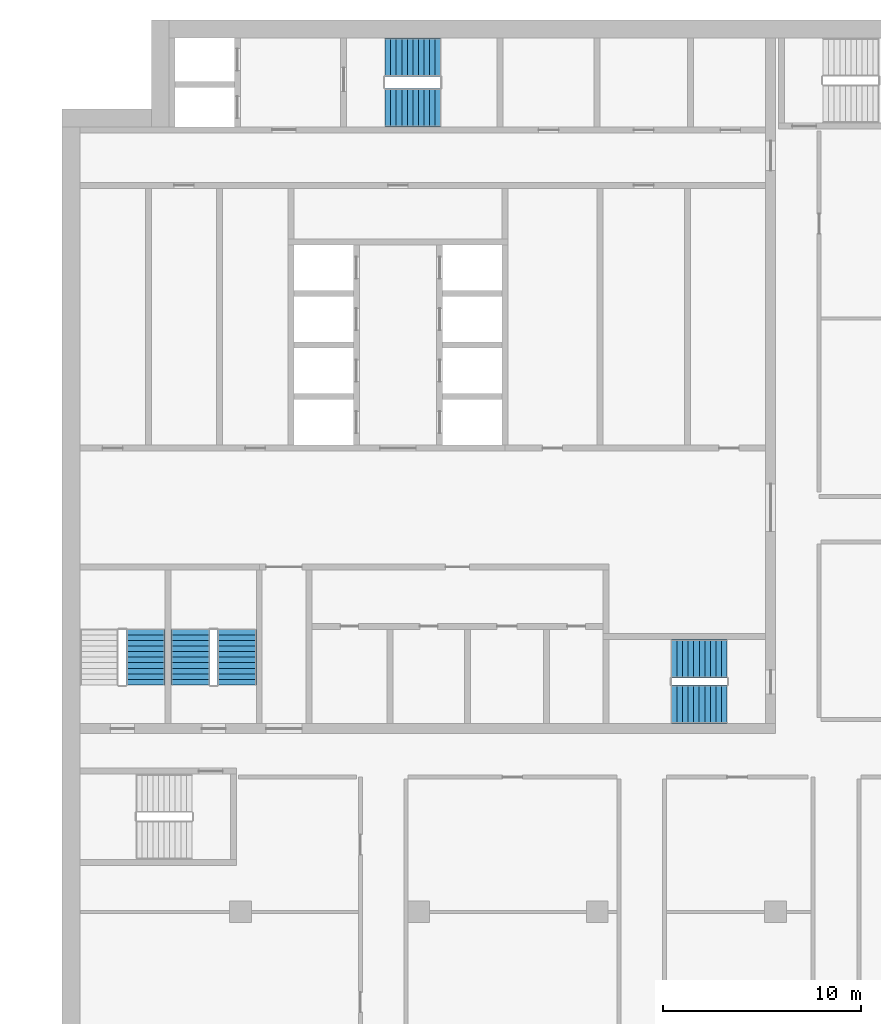
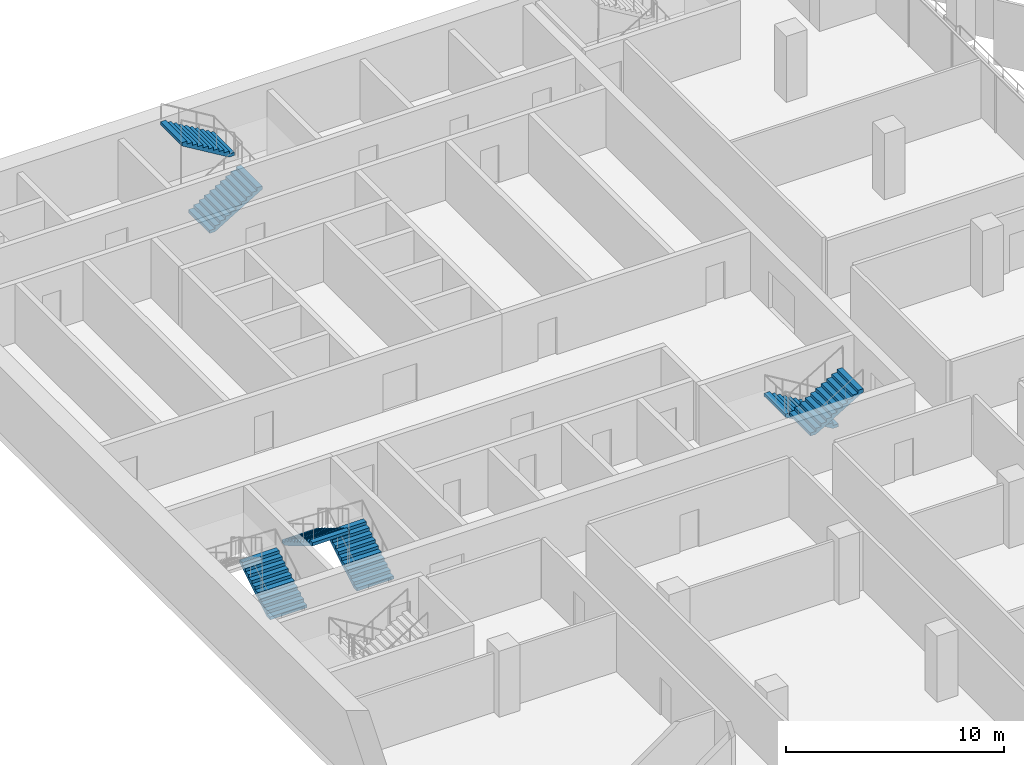
# One storey, part 14 of 19: 7 stair flights, 4 elements without a shape of their own.
"""IFC4 building model written with IfcOpenShell, lengths in metres."""

import ifcopenshell
import ifcopenshell.guid

model = None  # the IFC model being written
_history = None  # IfcOwnerHistory: only IFC2X3 demands one
_inside = {}  # id of a spatial element -> (the spatial element, [elements in it])
_under = {}  # id of a project, library or spatial element -> (it, [spatial elements below it])
_declared = {}  # id of a project -> (the project, [libraries it declares])
_typed = {}  # id of a type object -> (the type object, [elements of that type])
_made_of = {}  # id of a material, layer set ... -> (it, [elements and type objects made of it])


def new_model(schema):
    """Start an empty IFC model of exactly this schema.

    Asked for "IFC4X3", IfcOpenShell would pick the latest addendum, in which some entities
    have other attributes; the version numbers below select the first issue.
    IFC2X3 requires an IfcOwnerHistory on every rooted entity: one is made here for all.
    """
    global model, _history
    if schema == "IFC4X3":
        model = ifcopenshell.file(schema_version=(4, 3, 0, 0))
    else:
        model = ifcopenshell.file(schema=schema)
    _inside.clear()
    _under.clear()
    _declared.clear()
    _typed.clear()
    _made_of.clear()
    _history = None
    if model.schema == "IFC2X3":
        org = make("IfcOrganization", Name="unknown")
        user = make(
            "IfcPersonAndOrganization",
            ThePerson=make("IfcPerson", FamilyName="unknown"),
            TheOrganization=org,
        )
        app = make(
            "IfcApplication",
            ApplicationDeveloper=org,
            Version="unknown",
            ApplicationFullName="unknown",
            ApplicationIdentifier="unknown",
        )
        _history = make(
            "IfcOwnerHistory",
            OwningUser=user,
            OwningApplication=app,
            ChangeAction="ADDED",
            CreationDate=0,
        )
    return model


def make(cls, **values):
    """One entity of the class cls with the attributes given. An attribute that is None is left unset."""
    return model.create_entity(
        cls, **{name: value for name, value in values.items() if value is not None}
    )


def rooted(cls, **values):
    """An entity with a GlobalId (a new one), such as an element, a storey or a relation."""
    return make(cls, GlobalId=ifcopenshell.guid.new(), OwnerHistory=_history, **values)


def si_unit(unit_type, name, prefix=None):
    """IfcSIUnit, for example si_unit("LENGTHUNIT", "METRE", prefix="MILLI")."""
    return make("IfcSIUnit", UnitType=unit_type, Prefix=prefix, Name=name)


def assignment(units):
    """IfcUnitAssignment: the units of a project."""
    return None if units is None else make("IfcUnitAssignment", Units=units)


def point(xyz):
    """IfcCartesianPoint."""
    return None if xyz is None else make("IfcCartesianPoint", Coordinates=xyz)


def direction(xyz):
    """IfcDirection."""
    return None if xyz is None else make("IfcDirection", DirectionRatios=xyz)


def frame(location, z_axis=None, x_axis=None):
    """IfcAxis2Placement3D, a coordinate frame: its origin and axes. An axis left out is left unset."""
    return make(
        "IfcAxis2Placement3D",
        Location=point(location),
        Axis=direction(z_axis),
        RefDirection=direction(x_axis),
    )


def origin():
    """The frame at (0, 0, 0) with its axes left unset."""
    return frame((0.0, 0.0, 0.0))


def place(relative_to, where):
    """IfcLocalPlacement: puts the frame where relative to a parent placement (None: the world)."""
    return make(
        "IfcLocalPlacement", PlacementRelTo=relative_to, RelativePlacement=where
    )


def context(
    kind, dimensions, precision=None, world=None, true_north=None, identifier=None
):
    """IfcGeometricRepresentationContext, for example the 3D "Model" context."""
    return make(
        "IfcGeometricRepresentationContext",
        ContextIdentifier=identifier,
        ContextType=kind,
        CoordinateSpaceDimension=dimensions,
        Precision=precision,
        WorldCoordinateSystem=world,
        TrueNorth=true_north,
    )


def subcontext(parent, identifier, kind, view, scale=None):
    """IfcGeometricRepresentationSubContext, for example "Body" below "Model"."""
    return make(
        "IfcGeometricRepresentationSubContext",
        ContextIdentifier=identifier,
        ContextType=kind,
        ParentContext=parent,
        TargetScale=scale,
        TargetView=view,
    )


def project(units=None, contexts=None):
    """IfcProject with its units and contexts."""
    return rooted(
        "IfcProject",
        Name="project",
        RepresentationContexts=contexts,
        UnitsInContext=assignment(units),
    )


def spatial(cls, under=None, at=None, **own):
    """A site, building, storey or space (cls), placed at a placement, below another one or the project."""
    s = rooted(cls, ObjectPlacement=at, **own)
    if under is not None:
        _under.setdefault(under.id(), (under, []))[1].append(s)
    return s


def polyline(points):
    """IfcPolyline through the points."""
    return make("IfcPolyline", Points=[point(p) for p in points])


def outline(outer, holes=None, kind="AREA"):
    """IfcArbitraryClosedProfileDef: a profile drawn as a closed curve; with holes, ...WithVoids."""
    if holes is None:
        return make("IfcArbitraryClosedProfileDef", ProfileType=kind, OuterCurve=outer)
    return make(
        "IfcArbitraryProfileDefWithVoids",
        ProfileType=kind,
        OuterCurve=outer,
        InnerCurves=holes,
    )


def extrude(swept, where, along, depth):
    """IfcExtrudedAreaSolid: the profile swept, set in the frame where, extruded along a direction by depth."""
    return make(
        "IfcExtrudedAreaSolid",
        SweptArea=swept,
        Position=where,
        ExtrudedDirection=direction(along),
        Depth=depth,
    )


def shape(context_of_items, identifier, shape_type, items):
    """IfcShapeRepresentation: the items that make up one representation, for example the "Body"."""
    return make(
        "IfcShapeRepresentation",
        ContextOfItems=context_of_items,
        RepresentationIdentifier=identifier,
        RepresentationType=shape_type,
        Items=items,
    )


def material(Name=None, Category=None):
    """IfcMaterial."""
    return make("IfcMaterial", Name=Name, Category=Category)


def made_of(thing, what):
    """Note that an element or type object is made of a material, layer set ...; save() writes the relation."""
    if what is not None:
        _made_of.setdefault(what.id(), (what, []))[1].append(thing)
    return thing


def type_object(cls, material=None, **own):
    """A type object (cls), such as IfcWallType, which elements share."""
    return made_of(rooted(cls, **own), material)


def element(
    cls,
    number,
    at=None,
    inside=None,
    cuts=None,
    type_object=None,
    material=None,
    context=None,
    identifier="Body",
    shape_type=None,
    held_by="IfcProductDefinitionShape",
    body=None,
    shapes=None,
    **own,
):
    """One element of the class cls, such as IfcWall. Its Tag is "e" and its number.

    at: its placement. inside: the storey or other place that contains it. cuts: it is an
    opening in that element (IfcRelVoidsElement). A single representation is given by context,
    identifier, shape_type and body (its items); several are given by shapes. held_by: the class
    of the entity that holds the representations. save() writes the other relations.
    """
    e = rooted(cls, Tag="e%d" % number, ObjectPlacement=at, **own)
    if body is not None:
        shapes = [shape(context, identifier, shape_type, body)]
    if shapes is not None:
        e.Representation = make(held_by, Representations=shapes)
    if inside is not None:
        _inside.setdefault(inside.id(), (inside, []))[1].append(e)
    if cuts is not None:
        rooted(
            "IfcRelVoidsElement", RelatingBuildingElement=cuts, RelatedOpeningElement=e
        )
    if type_object is not None:
        _typed.setdefault(type_object.id(), (type_object, []))[1].append(e)
    return made_of(e, material)


def aggregate(whole, parts):
    """IfcRelAggregates: a whole, such as a stair, and the parts it consists of."""
    return rooted("IfcRelAggregates", RelatingObject=whole, RelatedObjects=parts)


def save(model, path):
    """Write the relations noted so far, then the file.

    IfcRelAggregates (storeys below a building ...), IfcRelContainedInSpatialStructure (elements
    in a storey), IfcRelDefinesByType, IfcRelAssociatesMaterial and IfcRelDeclares: one each for
    every whole, place, type object, material and project.
    """
    for whole, parts in _under.values():
        aggregate(whole, parts)
    for where, things in _inside.values():
        rooted(
            "IfcRelContainedInSpatialStructure",
            RelatedElements=things,
            RelatingStructure=where,
        )
    for kind, things in _typed.values():
        rooted("IfcRelDefinesByType", RelatedObjects=things, RelatingType=kind)
    for what, things in _made_of.values():
        rooted("IfcRelAssociatesMaterial", RelatedObjects=things, RelatingMaterial=what)
    for by, libraries in _declared.values():
        rooted("IfcRelDeclares", RelatingContext=by, RelatedDefinitions=libraries)
    model.write(path)


model = new_model("IFC4")

# Units and contexts
model_context = context("Model", 3, precision=1e-05, world=origin(), true_north=direction((0.0, 1.0)))
body_context = subcontext(model_context, "Body", "Model", "MODEL_VIEW")
ifc_project = project(units=[si_unit("LENGTHUNIT", "METRE"), si_unit("AREAUNIT", "SQUARE_METRE"), si_unit("VOLUMEUNIT", "CUBIC_METRE"), si_unit("PLANEANGLEUNIT", "RADIAN"), si_unit("MASSUNIT", "GRAM", prefix="KILO")], contexts=[model_context])

# Site, building, storey
site_placement = place(None, origin())
site = spatial("IfcSite", under=ifc_project, at=site_placement, CompositionType="ELEMENT")
building_placement = place(site_placement, origin())
building = spatial("IfcBuilding", under=site, at=building_placement, Name="Hunhe Ridgeline Campus", CompositionType="ELEMENT")
storey_placement = place(building_placement, frame((0.0, 0.0, 216.10009765625)))
storey = spatial("IfcBuildingStorey", under=building, at=storey_placement, Name="L55", CompositionType="ELEMENT", Elevation=216.10009765625)

# Stair, stair flights
ifc_material = material(Name="Concrete C40", Category="concrete")
stair_type = type_object("IfcStairType", Name="Reinforced concrete dog-leg stair 1950 Concrete C40", PredefinedType="HALF_TURN_STAIR", material=ifc_material)
stair_1_placement = place(storey_placement, origin())
stair_1 = element("IfcStair", 1, at=stair_1_placement, inside=storey, type_object=stair_type, Name="L55 S1", PredefinedType="HALF_TURN_STAIR")
stair_flight_type = type_object("IfcStairFlightType", Name="Reinforced concrete stair flight 1950 Concrete C40", PredefinedType="STRAIGHT", material=ifc_material)
stair_flight_1_placement = place(storey_placement, frame((16.300048828125, 94.574951171875, 0.0), z_axis=(0.0, 0.0, 1.0), x_axis=(1.0, 0.0, 0.0)))
stair_flight_1 = element("IfcStairFlight", 2, at=stair_flight_1_placement, type_object=stair_flight_type, Name="ST1 flight 1", NumberOfRisers=11, NumberOfTreads=10, PredefinedType="STRAIGHT", RiserHeight=0.168181818, TreadLength=0.28, context=body_context, shape_type="SweptSolid", body=[
    extrude(outline(polyline([(0.0, 0.0), (0.0, 0.168212890625), (0.280029296875, 0.168212890625), (0.280029296875, 0.33642578125), (0.56005859375, 0.33642578125), (0.56005859375, 0.504638671875), (0.840087890625, 0.504638671875), (0.840087890625, 0.672607421875), (1.1201171875, 0.672607421875), (1.1201171875, 0.8408203125), (1.39990234375, 0.8408203125), (1.39990234375, 1.009033203125), (1.679931640625, 1.009033203125), (1.679931640625, 1.17724609375), (1.9599609375, 1.17724609375), (1.9599609375, 1.345458984375), (2.239990234375, 1.345458984375), (2.239990234375, 1.513671875), (2.52001953125, 1.513671875), (2.52001953125, 1.681884765625), (2.800048828125, 1.681884765625), (2.800048828125, 1.85009765625), (2.800048828125, 1.5068359375), (0.291015625, 0.0), (0.0, 0.0)])), frame((0.0, 0.97509765625, 0.0), z_axis=(0.0, -1.0, 0.0), x_axis=(1.0, 0.0, 0.0)), (0.0, 0.0, 1.0), 1.949951171875),
    extrude(outline(polyline([(0.030029296875, 0.030029296875), (0.030029296875, 0.13818359375), (0.31005859375, 0.13818359375), (0.31005859375, 0.306396484375), (0.590087890625, 0.306396484375), (0.590087890625, 0.474609375), (0.8701171875, 0.474609375), (0.8701171875, 0.642578125), (1.14990234375, 0.642578125), (1.14990234375, 0.810791015625), (1.429931640625, 0.810791015625), (1.429931640625, 0.97900390625), (1.7099609375, 0.97900390625), (1.7099609375, 1.147216796875), (1.989990234375, 1.147216796875), (1.989990234375, 1.3154296875), (2.27001953125, 1.3154296875), (2.27001953125, 1.483642578125), (2.550048828125, 1.483642578125), (2.550048828125, 1.65185546875), (2.77001953125, 1.65185546875), (2.77001953125, 1.52392578125), (0.28271484375, 0.030029296875), (0.030029296875, 0.030029296875)])), frame((0.0, -0.070068359375, 0.0), z_axis=(0.0, -1.0, 0.0), x_axis=(1.0, 0.0, 0.0)), (0.0, 0.0, 1.0), 0.019775390625),
    extrude(outline(polyline([(0.030029296875, 0.030029296875), (0.030029296875, 0.13818359375), (0.31005859375, 0.13818359375), (0.31005859375, 0.306396484375), (0.590087890625, 0.306396484375), (0.590087890625, 0.474609375), (0.8701171875, 0.474609375), (0.8701171875, 0.642578125), (1.14990234375, 0.642578125), (1.14990234375, 0.810791015625), (1.429931640625, 0.810791015625), (1.429931640625, 0.97900390625), (1.7099609375, 0.97900390625), (1.7099609375, 1.147216796875), (1.989990234375, 1.147216796875), (1.989990234375, 1.3154296875), (2.27001953125, 1.3154296875), (2.27001953125, 1.483642578125), (2.550048828125, 1.483642578125), (2.550048828125, 1.65185546875), (2.77001953125, 1.65185546875), (2.77001953125, 1.52392578125), (0.28271484375, 0.030029296875), (0.030029296875, 0.030029296875)])), frame((0.0, 0.010009765625, 0.0), z_axis=(0.0, -1.0, 0.0), x_axis=(1.0, 0.0, 0.0)), (0.0, 0.0, 1.0), 0.019775390625),
    extrude(outline(polyline([(0.030029296875, 0.030029296875), (0.030029296875, 0.13818359375), (0.31005859375, 0.13818359375), (0.31005859375, 0.306396484375), (0.590087890625, 0.306396484375), (0.590087890625, 0.474609375), (0.8701171875, 0.474609375), (0.8701171875, 0.642578125), (1.14990234375, 0.642578125), (1.14990234375, 0.810791015625), (1.429931640625, 0.810791015625), (1.429931640625, 0.97900390625), (1.7099609375, 0.97900390625), (1.7099609375, 1.147216796875), (1.989990234375, 1.147216796875), (1.989990234375, 1.3154296875), (2.27001953125, 1.3154296875), (2.27001953125, 1.483642578125), (2.550048828125, 1.483642578125), (2.550048828125, 1.65185546875), (2.77001953125, 1.65185546875), (2.77001953125, 1.52392578125), (0.28271484375, 0.030029296875), (0.030029296875, 0.030029296875)])), frame((0.0, 0.090087890625, 0.0), z_axis=(0.0, -1.0, 0.0), x_axis=(1.0, 0.0, 0.0)), (0.0, 0.0, 1.0), 0.019775390625),
])
stair_flight_2_placement = place(storey_placement, frame((19.10009765625, 97.125, 1.849853515625), z_axis=(0.0, 0.0, 1.0), x_axis=(-1.0, 0.0, 0.0)))
stair_flight_2 = element("IfcStairFlight", 3, at=stair_flight_2_placement, type_object=stair_flight_type, Name="ST1 flight 2", NumberOfRisers=11, NumberOfTreads=10, PredefinedType="STRAIGHT", RiserHeight=0.168181818, TreadLength=0.28, context=body_context, shape_type="SweptSolid", body=[
    extrude(outline(polyline([(0.0, 0.0), (0.0, 0.168212890625), (0.280029296875, 0.168212890625), (0.280029296875, 0.33642578125), (0.56005859375, 0.33642578125), (0.56005859375, 0.504638671875), (0.840087890625, 0.504638671875), (0.840087890625, 0.672607421875), (1.1201171875, 0.672607421875), (1.1201171875, 0.8408203125), (1.39990234375, 0.8408203125), (1.39990234375, 1.009033203125), (1.679931640625, 1.009033203125), (1.679931640625, 1.17724609375), (1.9599609375, 1.17724609375), (1.9599609375, 1.345458984375), (2.239990234375, 1.345458984375), (2.239990234375, 1.513671875), (2.52001953125, 1.513671875), (2.52001953125, 1.681884765625), (2.800048828125, 1.681884765625), (2.800048828125, 1.85009765625), (2.800048828125, 1.5068359375), (0.291015625, 0.0), (0.0, 0.0)])), frame((0.0, 0.97509765625, 0.0), z_axis=(0.0, -1.0, 0.0), x_axis=(1.0, 0.0, 0.0)), (0.0, 0.0, 1.0), 1.949951171875),
    extrude(outline(polyline([(0.030029296875, 0.030029296875), (0.030029296875, 0.13818359375), (0.31005859375, 0.13818359375), (0.31005859375, 0.306396484375), (0.590087890625, 0.306396484375), (0.590087890625, 0.474609375), (0.8701171875, 0.474609375), (0.8701171875, 0.642578125), (1.14990234375, 0.642578125), (1.14990234375, 0.810791015625), (1.429931640625, 0.810791015625), (1.429931640625, 0.97900390625), (1.7099609375, 0.97900390625), (1.7099609375, 1.147216796875), (1.989990234375, 1.147216796875), (1.989990234375, 1.3154296875), (2.27001953125, 1.3154296875), (2.27001953125, 1.483642578125), (2.550048828125, 1.483642578125), (2.550048828125, 1.65185546875), (2.77001953125, 1.65185546875), (2.77001953125, 1.52392578125), (0.28271484375, 0.030029296875), (0.030029296875, 0.030029296875)])), frame((0.0, -0.070068359375, 0.0), z_axis=(0.0, -1.0, 0.0), x_axis=(1.0, 0.0, 0.0)), (0.0, 0.0, 1.0), 0.019775390625),
    extrude(outline(polyline([(0.030029296875, 0.030029296875), (0.030029296875, 0.13818359375), (0.31005859375, 0.13818359375), (0.31005859375, 0.306396484375), (0.590087890625, 0.306396484375), (0.590087890625, 0.474609375), (0.8701171875, 0.474609375), (0.8701171875, 0.642578125), (1.14990234375, 0.642578125), (1.14990234375, 0.810791015625), (1.429931640625, 0.810791015625), (1.429931640625, 0.97900390625), (1.7099609375, 0.97900390625), (1.7099609375, 1.147216796875), (1.989990234375, 1.147216796875), (1.989990234375, 1.3154296875), (2.27001953125, 1.3154296875), (2.27001953125, 1.483642578125), (2.550048828125, 1.483642578125), (2.550048828125, 1.65185546875), (2.77001953125, 1.65185546875), (2.77001953125, 1.52392578125), (0.28271484375, 0.030029296875), (0.030029296875, 0.030029296875)])), frame((0.0, 0.010009765625, 0.0), z_axis=(0.0, -1.0, 0.0), x_axis=(1.0, 0.0, 0.0)), (0.0, 0.0, 1.0), 0.019775390625),
    extrude(outline(polyline([(0.030029296875, 0.030029296875), (0.030029296875, 0.13818359375), (0.31005859375, 0.13818359375), (0.31005859375, 0.306396484375), (0.590087890625, 0.306396484375), (0.590087890625, 0.474609375), (0.8701171875, 0.474609375), (0.8701171875, 0.642578125), (1.14990234375, 0.642578125), (1.14990234375, 0.810791015625), (1.429931640625, 0.810791015625), (1.429931640625, 0.97900390625), (1.7099609375, 0.97900390625), (1.7099609375, 1.147216796875), (1.989990234375, 1.147216796875), (1.989990234375, 1.3154296875), (2.27001953125, 1.3154296875), (2.27001953125, 1.483642578125), (2.550048828125, 1.483642578125), (2.550048828125, 1.65185546875), (2.77001953125, 1.65185546875), (2.77001953125, 1.52392578125), (0.28271484375, 0.030029296875), (0.030029296875, 0.030029296875)])), frame((0.0, 0.090087890625, 0.0), z_axis=(0.0, -1.0, 0.0), x_axis=(1.0, 0.0, 0.0)), (0.0, 0.0, 1.0), 0.019775390625),
])
aggregate(stair_1, [stair_flight_1, stair_flight_2])

stair_2_placement = place(storey_placement, origin())
stair_2 = element("IfcStair", 4, at=stair_2_placement, inside=storey, type_object=stair_type, Name="L55 S2", PredefinedType="HALF_TURN_STAIR")
stair_flight_3_placement = place(storey_placement, frame((33.550048828125, 66.77490234375, 0.0), z_axis=(0.0, 0.0, 1.0), x_axis=(-1.0, 0.0, 0.0)))
stair_flight_3 = element("IfcStairFlight", 5, at=stair_flight_3_placement, type_object=stair_flight_type, Name="ST2 flight 1", NumberOfRisers=11, NumberOfTreads=10, PredefinedType="STRAIGHT", RiserHeight=0.168181818, TreadLength=0.28, context=body_context, shape_type="SweptSolid", body=[
    extrude(outline(polyline([(0.0, 0.0), (0.0, 0.168212890625), (0.280029296875, 0.168212890625), (0.280029296875, 0.33642578125), (0.56005859375, 0.33642578125), (0.56005859375, 0.504638671875), (0.840087890625, 0.504638671875), (0.840087890625, 0.672607421875), (1.1201171875, 0.672607421875), (1.1201171875, 0.8408203125), (1.39990234375, 0.8408203125), (1.39990234375, 1.009033203125), (1.679931640625, 1.009033203125), (1.679931640625, 1.17724609375), (1.9599609375, 1.17724609375), (1.9599609375, 1.345458984375), (2.239990234375, 1.345458984375), (2.239990234375, 1.513671875), (2.52001953125, 1.513671875), (2.52001953125, 1.681884765625), (2.800048828125, 1.681884765625), (2.800048828125, 1.85009765625), (2.800048828125, 1.5068359375), (0.291015625, 0.0), (0.0, 0.0)])), frame((0.0, 0.97509765625, 0.0), z_axis=(0.0, -1.0, 0.0), x_axis=(1.0, 0.0, 0.0)), (0.0, 0.0, 1.0), 1.949951171875),
    extrude(outline(polyline([(0.030029296875, 0.030029296875), (0.030029296875, 0.13818359375), (0.31005859375, 0.13818359375), (0.31005859375, 0.306396484375), (0.590087890625, 0.306396484375), (0.590087890625, 0.474609375), (0.8701171875, 0.474609375), (0.8701171875, 0.642578125), (1.14990234375, 0.642578125), (1.14990234375, 0.810791015625), (1.429931640625, 0.810791015625), (1.429931640625, 0.97900390625), (1.7099609375, 0.97900390625), (1.7099609375, 1.147216796875), (1.989990234375, 1.147216796875), (1.989990234375, 1.3154296875), (2.27001953125, 1.3154296875), (2.27001953125, 1.483642578125), (2.550048828125, 1.483642578125), (2.550048828125, 1.65185546875), (2.77001953125, 1.65185546875), (2.77001953125, 1.52392578125), (0.28271484375, 0.030029296875), (0.030029296875, 0.030029296875)])), frame((0.0, -0.070068359375, 0.0), z_axis=(0.0, -1.0, 0.0), x_axis=(1.0, 0.0, 0.0)), (0.0, 0.0, 1.0), 0.019775390625),
    extrude(outline(polyline([(0.030029296875, 0.030029296875), (0.030029296875, 0.13818359375), (0.31005859375, 0.13818359375), (0.31005859375, 0.306396484375), (0.590087890625, 0.306396484375), (0.590087890625, 0.474609375), (0.8701171875, 0.474609375), (0.8701171875, 0.642578125), (1.14990234375, 0.642578125), (1.14990234375, 0.810791015625), (1.429931640625, 0.810791015625), (1.429931640625, 0.97900390625), (1.7099609375, 0.97900390625), (1.7099609375, 1.147216796875), (1.989990234375, 1.147216796875), (1.989990234375, 1.3154296875), (2.27001953125, 1.3154296875), (2.27001953125, 1.483642578125), (2.550048828125, 1.483642578125), (2.550048828125, 1.65185546875), (2.77001953125, 1.65185546875), (2.77001953125, 1.52392578125), (0.28271484375, 0.030029296875), (0.030029296875, 0.030029296875)])), frame((0.0, 0.010009765625, 0.0), z_axis=(0.0, -1.0, 0.0), x_axis=(1.0, 0.0, 0.0)), (0.0, 0.0, 1.0), 0.019775390625),
    extrude(outline(polyline([(0.030029296875, 0.030029296875), (0.030029296875, 0.13818359375), (0.31005859375, 0.13818359375), (0.31005859375, 0.306396484375), (0.590087890625, 0.306396484375), (0.590087890625, 0.474609375), (0.8701171875, 0.474609375), (0.8701171875, 0.642578125), (1.14990234375, 0.642578125), (1.14990234375, 0.810791015625), (1.429931640625, 0.810791015625), (1.429931640625, 0.97900390625), (1.7099609375, 0.97900390625), (1.7099609375, 1.147216796875), (1.989990234375, 1.147216796875), (1.989990234375, 1.3154296875), (2.27001953125, 1.3154296875), (2.27001953125, 1.483642578125), (2.550048828125, 1.483642578125), (2.550048828125, 1.65185546875), (2.77001953125, 1.65185546875), (2.77001953125, 1.52392578125), (0.28271484375, 0.030029296875), (0.030029296875, 0.030029296875)])), frame((0.0, 0.090087890625, 0.0), z_axis=(0.0, -1.0, 0.0), x_axis=(1.0, 0.0, 0.0)), (0.0, 0.0, 1.0), 0.019775390625),
])
stair_flight_4_placement = place(storey_placement, frame((30.75, 64.47509765625, 1.849853515625), z_axis=(0.0, 0.0, 1.0), x_axis=(1.0, 0.0, 0.0)))
stair_flight_4 = element("IfcStairFlight", 6, at=stair_flight_4_placement, type_object=stair_flight_type, Name="ST2 flight 2", NumberOfRisers=11, NumberOfTreads=10, PredefinedType="STRAIGHT", RiserHeight=0.168181818, TreadLength=0.28, context=body_context, shape_type="SweptSolid", body=[
    extrude(outline(polyline([(0.0, 0.0), (0.0, 0.168212890625), (0.280029296875, 0.168212890625), (0.280029296875, 0.33642578125), (0.56005859375, 0.33642578125), (0.56005859375, 0.504638671875), (0.840087890625, 0.504638671875), (0.840087890625, 0.672607421875), (1.1201171875, 0.672607421875), (1.1201171875, 0.8408203125), (1.39990234375, 0.8408203125), (1.39990234375, 1.009033203125), (1.679931640625, 1.009033203125), (1.679931640625, 1.17724609375), (1.9599609375, 1.17724609375), (1.9599609375, 1.345458984375), (2.239990234375, 1.345458984375), (2.239990234375, 1.513671875), (2.52001953125, 1.513671875), (2.52001953125, 1.681884765625), (2.800048828125, 1.681884765625), (2.800048828125, 1.85009765625), (2.800048828125, 1.5068359375), (0.291015625, 0.0), (0.0, 0.0)])), frame((0.0, 0.97509765625, 0.0), z_axis=(0.0, -1.0, 0.0), x_axis=(1.0, 0.0, 0.0)), (0.0, 0.0, 1.0), 1.949951171875),
    extrude(outline(polyline([(0.030029296875, 0.030029296875), (0.030029296875, 0.13818359375), (0.31005859375, 0.13818359375), (0.31005859375, 0.306396484375), (0.590087890625, 0.306396484375), (0.590087890625, 0.474609375), (0.8701171875, 0.474609375), (0.8701171875, 0.642578125), (1.14990234375, 0.642578125), (1.14990234375, 0.810791015625), (1.429931640625, 0.810791015625), (1.429931640625, 0.97900390625), (1.7099609375, 0.97900390625), (1.7099609375, 1.147216796875), (1.989990234375, 1.147216796875), (1.989990234375, 1.3154296875), (2.27001953125, 1.3154296875), (2.27001953125, 1.483642578125), (2.550048828125, 1.483642578125), (2.550048828125, 1.65185546875), (2.77001953125, 1.65185546875), (2.77001953125, 1.52392578125), (0.28271484375, 0.030029296875), (0.030029296875, 0.030029296875)])), frame((0.0, -0.070068359375, 0.0), z_axis=(0.0, -1.0, 0.0), x_axis=(1.0, 0.0, 0.0)), (0.0, 0.0, 1.0), 0.019775390625),
    extrude(outline(polyline([(0.030029296875, 0.030029296875), (0.030029296875, 0.13818359375), (0.31005859375, 0.13818359375), (0.31005859375, 0.306396484375), (0.590087890625, 0.306396484375), (0.590087890625, 0.474609375), (0.8701171875, 0.474609375), (0.8701171875, 0.642578125), (1.14990234375, 0.642578125), (1.14990234375, 0.810791015625), (1.429931640625, 0.810791015625), (1.429931640625, 0.97900390625), (1.7099609375, 0.97900390625), (1.7099609375, 1.147216796875), (1.989990234375, 1.147216796875), (1.989990234375, 1.3154296875), (2.27001953125, 1.3154296875), (2.27001953125, 1.483642578125), (2.550048828125, 1.483642578125), (2.550048828125, 1.65185546875), (2.77001953125, 1.65185546875), (2.77001953125, 1.52392578125), (0.28271484375, 0.030029296875), (0.030029296875, 0.030029296875)])), frame((0.0, 0.010009765625, 0.0), z_axis=(0.0, -1.0, 0.0), x_axis=(1.0, 0.0, 0.0)), (0.0, 0.0, 1.0), 0.019775390625),
    extrude(outline(polyline([(0.030029296875, 0.030029296875), (0.030029296875, 0.13818359375), (0.31005859375, 0.13818359375), (0.31005859375, 0.306396484375), (0.590087890625, 0.306396484375), (0.590087890625, 0.474609375), (0.8701171875, 0.474609375), (0.8701171875, 0.642578125), (1.14990234375, 0.642578125), (1.14990234375, 0.810791015625), (1.429931640625, 0.810791015625), (1.429931640625, 0.97900390625), (1.7099609375, 0.97900390625), (1.7099609375, 1.147216796875), (1.989990234375, 1.147216796875), (1.989990234375, 1.3154296875), (2.27001953125, 1.3154296875), (2.27001953125, 1.483642578125), (2.550048828125, 1.483642578125), (2.550048828125, 1.65185546875), (2.77001953125, 1.65185546875), (2.77001953125, 1.52392578125), (0.28271484375, 0.030029296875), (0.030029296875, 0.030029296875)])), frame((0.0, 0.090087890625, 0.0), z_axis=(0.0, -1.0, 0.0), x_axis=(1.0, 0.0, 0.0)), (0.0, 0.0, 1.0), 0.019775390625),
])
aggregate(stair_2, [stair_flight_3, stair_flight_4])

# Stair, stair flight
stair_3_placement = place(storey_placement, origin())
stair_3 = element("IfcStair", 7, at=stair_3_placement, inside=storey, type_object=stair_type, Name="L55 S3", PredefinedType="HALF_TURN_STAIR")
stair_flight_5_placement = place(storey_placement, frame((4.22509765625, 65.449951171875, 0.0), z_axis=(0.0, 0.0, 1.0), x_axis=(0.0, 1.0, 0.0)))
stair_flight_5 = element("IfcStairFlight", 8, at=stair_flight_5_placement, type_object=stair_flight_type, Name="ST3 flight 1", NumberOfRisers=11, NumberOfTreads=10, PredefinedType="STRAIGHT", RiserHeight=0.168181818, TreadLength=0.28, context=body_context, shape_type="SweptSolid", body=[
    extrude(outline(polyline([(0.0, 0.0), (0.0, 0.168212890625), (0.280029296875, 0.168212890625), (0.280029296875, 0.33642578125), (0.56005859375, 0.33642578125), (0.56005859375, 0.504638671875), (0.840087890625, 0.504638671875), (0.840087890625, 0.672607421875), (1.1201171875, 0.672607421875), (1.1201171875, 0.8408203125), (1.39990234375, 0.8408203125), (1.39990234375, 1.009033203125), (1.679931640625, 1.009033203125), (1.679931640625, 1.17724609375), (1.9599609375, 1.17724609375), (1.9599609375, 1.345458984375), (2.239990234375, 1.345458984375), (2.239990234375, 1.513671875), (2.52001953125, 1.513671875), (2.52001953125, 1.681884765625), (2.800048828125, 1.681884765625), (2.800048828125, 1.85009765625), (2.800048828125, 1.5068359375), (0.291015625, 0.0), (0.0, 0.0)])), frame((0.0, 0.97509765625, 0.0), z_axis=(0.0, -1.0, 0.0), x_axis=(1.0, 0.0, 0.0)), (0.0, 0.0, 1.0), 1.949951171875),
    extrude(outline(polyline([(0.030029296875, 0.030029296875), (0.030029296875, 0.13818359375), (0.31005859375, 0.13818359375), (0.31005859375, 0.306396484375), (0.590087890625, 0.306396484375), (0.590087890625, 0.474609375), (0.8701171875, 0.474609375), (0.8701171875, 0.642578125), (1.14990234375, 0.642578125), (1.14990234375, 0.810791015625), (1.429931640625, 0.810791015625), (1.429931640625, 0.97900390625), (1.7099609375, 0.97900390625), (1.7099609375, 1.147216796875), (1.989990234375, 1.147216796875), (1.989990234375, 1.3154296875), (2.27001953125, 1.3154296875), (2.27001953125, 1.483642578125), (2.550048828125, 1.483642578125), (2.550048828125, 1.65185546875), (2.77001953125, 1.65185546875), (2.77001953125, 1.52392578125), (0.28271484375, 0.030029296875), (0.030029296875, 0.030029296875)])), frame((0.0, -0.070068359375, 0.0), z_axis=(0.0, -1.0, 0.0), x_axis=(1.0, 0.0, 0.0)), (0.0, 0.0, 1.0), 0.019775390625),
    extrude(outline(polyline([(0.030029296875, 0.030029296875), (0.030029296875, 0.13818359375), (0.31005859375, 0.13818359375), (0.31005859375, 0.306396484375), (0.590087890625, 0.306396484375), (0.590087890625, 0.474609375), (0.8701171875, 0.474609375), (0.8701171875, 0.642578125), (1.14990234375, 0.642578125), (1.14990234375, 0.810791015625), (1.429931640625, 0.810791015625), (1.429931640625, 0.97900390625), (1.7099609375, 0.97900390625), (1.7099609375, 1.147216796875), (1.989990234375, 1.147216796875), (1.989990234375, 1.3154296875), (2.27001953125, 1.3154296875), (2.27001953125, 1.483642578125), (2.550048828125, 1.483642578125), (2.550048828125, 1.65185546875), (2.77001953125, 1.65185546875), (2.77001953125, 1.52392578125), (0.28271484375, 0.030029296875), (0.030029296875, 0.030029296875)])), frame((0.0, 0.010009765625, 0.0), z_axis=(0.0, -1.0, 0.0), x_axis=(1.0, 0.0, 0.0)), (0.0, 0.0, 1.0), 0.019775390625),
    extrude(outline(polyline([(0.030029296875, 0.030029296875), (0.030029296875, 0.13818359375), (0.31005859375, 0.13818359375), (0.31005859375, 0.306396484375), (0.590087890625, 0.306396484375), (0.590087890625, 0.474609375), (0.8701171875, 0.474609375), (0.8701171875, 0.642578125), (1.14990234375, 0.642578125), (1.14990234375, 0.810791015625), (1.429931640625, 0.810791015625), (1.429931640625, 0.97900390625), (1.7099609375, 0.97900390625), (1.7099609375, 1.147216796875), (1.989990234375, 1.147216796875), (1.989990234375, 1.3154296875), (2.27001953125, 1.3154296875), (2.27001953125, 1.483642578125), (2.550048828125, 1.483642578125), (2.550048828125, 1.65185546875), (2.77001953125, 1.65185546875), (2.77001953125, 1.52392578125), (0.28271484375, 0.030029296875), (0.030029296875, 0.030029296875)])), frame((0.0, 0.090087890625, 0.0), z_axis=(0.0, -1.0, 0.0), x_axis=(1.0, 0.0, 0.0)), (0.0, 0.0, 1.0), 0.019775390625),
])
aggregate(stair_3, [stair_flight_5])

# Stair, stair flights
stair_4_placement = place(storey_placement, origin())
stair_4 = element("IfcStair", 9, at=stair_4_placement, inside=storey, type_object=stair_type, Name="L55 S4", PredefinedType="HALF_TURN_STAIR")
stair_flight_6_placement = place(storey_placement, frame((8.824951171875, 65.449951171875, 0.0), z_axis=(0.0, 0.0, 1.0), x_axis=(0.0, 1.0, 0.0)))
stair_flight_6 = element("IfcStairFlight", 10, at=stair_flight_6_placement, type_object=stair_flight_type, Name="ST4 flight 1", NumberOfRisers=11, NumberOfTreads=10, PredefinedType="STRAIGHT", RiserHeight=0.168181818, TreadLength=0.28, context=body_context, shape_type="SweptSolid", body=[
    extrude(outline(polyline([(0.0, 0.0), (0.0, 0.168212890625), (0.280029296875, 0.168212890625), (0.280029296875, 0.33642578125), (0.56005859375, 0.33642578125), (0.56005859375, 0.504638671875), (0.840087890625, 0.504638671875), (0.840087890625, 0.672607421875), (1.1201171875, 0.672607421875), (1.1201171875, 0.8408203125), (1.39990234375, 0.8408203125), (1.39990234375, 1.009033203125), (1.679931640625, 1.009033203125), (1.679931640625, 1.17724609375), (1.9599609375, 1.17724609375), (1.9599609375, 1.345458984375), (2.239990234375, 1.345458984375), (2.239990234375, 1.513671875), (2.52001953125, 1.513671875), (2.52001953125, 1.681884765625), (2.800048828125, 1.681884765625), (2.800048828125, 1.85009765625), (2.800048828125, 1.5068359375), (0.291015625, 0.0), (0.0, 0.0)])), frame((0.0, 0.97509765625, 0.0), z_axis=(0.0, -1.0, 0.0), x_axis=(1.0, 0.0, 0.0)), (0.0, 0.0, 1.0), 1.949951171875),
    extrude(outline(polyline([(0.030029296875, 0.030029296875), (0.030029296875, 0.13818359375), (0.31005859375, 0.13818359375), (0.31005859375, 0.306396484375), (0.590087890625, 0.306396484375), (0.590087890625, 0.474609375), (0.8701171875, 0.474609375), (0.8701171875, 0.642578125), (1.14990234375, 0.642578125), (1.14990234375, 0.810791015625), (1.429931640625, 0.810791015625), (1.429931640625, 0.97900390625), (1.7099609375, 0.97900390625), (1.7099609375, 1.147216796875), (1.989990234375, 1.147216796875), (1.989990234375, 1.3154296875), (2.27001953125, 1.3154296875), (2.27001953125, 1.483642578125), (2.550048828125, 1.483642578125), (2.550048828125, 1.65185546875), (2.77001953125, 1.65185546875), (2.77001953125, 1.52392578125), (0.28271484375, 0.030029296875), (0.030029296875, 0.030029296875)])), frame((0.0, -0.070068359375, 0.0), z_axis=(0.0, -1.0, 0.0), x_axis=(1.0, 0.0, 0.0)), (0.0, 0.0, 1.0), 0.019775390625),
    extrude(outline(polyline([(0.030029296875, 0.030029296875), (0.030029296875, 0.13818359375), (0.31005859375, 0.13818359375), (0.31005859375, 0.306396484375), (0.590087890625, 0.306396484375), (0.590087890625, 0.474609375), (0.8701171875, 0.474609375), (0.8701171875, 0.642578125), (1.14990234375, 0.642578125), (1.14990234375, 0.810791015625), (1.429931640625, 0.810791015625), (1.429931640625, 0.97900390625), (1.7099609375, 0.97900390625), (1.7099609375, 1.147216796875), (1.989990234375, 1.147216796875), (1.989990234375, 1.3154296875), (2.27001953125, 1.3154296875), (2.27001953125, 1.483642578125), (2.550048828125, 1.483642578125), (2.550048828125, 1.65185546875), (2.77001953125, 1.65185546875), (2.77001953125, 1.52392578125), (0.28271484375, 0.030029296875), (0.030029296875, 0.030029296875)])), frame((0.0, 0.010009765625, 0.0), z_axis=(0.0, -1.0, 0.0), x_axis=(1.0, 0.0, 0.0)), (0.0, 0.0, 1.0), 0.019775390625),
    extrude(outline(polyline([(0.030029296875, 0.030029296875), (0.030029296875, 0.13818359375), (0.31005859375, 0.13818359375), (0.31005859375, 0.306396484375), (0.590087890625, 0.306396484375), (0.590087890625, 0.474609375), (0.8701171875, 0.474609375), (0.8701171875, 0.642578125), (1.14990234375, 0.642578125), (1.14990234375, 0.810791015625), (1.429931640625, 0.810791015625), (1.429931640625, 0.97900390625), (1.7099609375, 0.97900390625), (1.7099609375, 1.147216796875), (1.989990234375, 1.147216796875), (1.989990234375, 1.3154296875), (2.27001953125, 1.3154296875), (2.27001953125, 1.483642578125), (2.550048828125, 1.483642578125), (2.550048828125, 1.65185546875), (2.77001953125, 1.65185546875), (2.77001953125, 1.52392578125), (0.28271484375, 0.030029296875), (0.030029296875, 0.030029296875)])), frame((0.0, 0.090087890625, 0.0), z_axis=(0.0, -1.0, 0.0), x_axis=(1.0, 0.0, 0.0)), (0.0, 0.0, 1.0), 0.019775390625),
])
stair_flight_7_placement = place(storey_placement, frame((6.47509765625, 68.25, 1.849853515625), z_axis=(0.0, 0.0, 1.0), x_axis=(0.0, -1.0, 0.0)))
stair_flight_7 = element("IfcStairFlight", 11, at=stair_flight_7_placement, type_object=stair_flight_type, Name="ST4 flight 2", NumberOfRisers=11, NumberOfTreads=10, PredefinedType="STRAIGHT", RiserHeight=0.168181818, TreadLength=0.28, context=body_context, shape_type="SweptSolid", body=[
    extrude(outline(polyline([(0.0, 0.0), (0.0, 0.168212890625), (0.280029296875, 0.168212890625), (0.280029296875, 0.33642578125), (0.56005859375, 0.33642578125), (0.56005859375, 0.504638671875), (0.840087890625, 0.504638671875), (0.840087890625, 0.672607421875), (1.1201171875, 0.672607421875), (1.1201171875, 0.8408203125), (1.39990234375, 0.8408203125), (1.39990234375, 1.009033203125), (1.679931640625, 1.009033203125), (1.679931640625, 1.17724609375), (1.9599609375, 1.17724609375), (1.9599609375, 1.345458984375), (2.239990234375, 1.345458984375), (2.239990234375, 1.513671875), (2.52001953125, 1.513671875), (2.52001953125, 1.681884765625), (2.800048828125, 1.681884765625), (2.800048828125, 1.85009765625), (2.800048828125, 1.5068359375), (0.291015625, 0.0), (0.0, 0.0)])), frame((0.0, 0.97509765625, 0.0), z_axis=(0.0, -1.0, 0.0), x_axis=(1.0, 0.0, 0.0)), (0.0, 0.0, 1.0), 1.949951171875),
    extrude(outline(polyline([(0.030029296875, 0.030029296875), (0.030029296875, 0.13818359375), (0.31005859375, 0.13818359375), (0.31005859375, 0.306396484375), (0.590087890625, 0.306396484375), (0.590087890625, 0.474609375), (0.8701171875, 0.474609375), (0.8701171875, 0.642578125), (1.14990234375, 0.642578125), (1.14990234375, 0.810791015625), (1.429931640625, 0.810791015625), (1.429931640625, 0.97900390625), (1.7099609375, 0.97900390625), (1.7099609375, 1.147216796875), (1.989990234375, 1.147216796875), (1.989990234375, 1.3154296875), (2.27001953125, 1.3154296875), (2.27001953125, 1.483642578125), (2.550048828125, 1.483642578125), (2.550048828125, 1.65185546875), (2.77001953125, 1.65185546875), (2.77001953125, 1.52392578125), (0.28271484375, 0.030029296875), (0.030029296875, 0.030029296875)])), frame((0.0, -0.070068359375, 0.0), z_axis=(0.0, -1.0, 0.0), x_axis=(1.0, 0.0, 0.0)), (0.0, 0.0, 1.0), 0.019775390625),
    extrude(outline(polyline([(0.030029296875, 0.030029296875), (0.030029296875, 0.13818359375), (0.31005859375, 0.13818359375), (0.31005859375, 0.306396484375), (0.590087890625, 0.306396484375), (0.590087890625, 0.474609375), (0.8701171875, 0.474609375), (0.8701171875, 0.642578125), (1.14990234375, 0.642578125), (1.14990234375, 0.810791015625), (1.429931640625, 0.810791015625), (1.429931640625, 0.97900390625), (1.7099609375, 0.97900390625), (1.7099609375, 1.147216796875), (1.989990234375, 1.147216796875), (1.989990234375, 1.3154296875), (2.27001953125, 1.3154296875), (2.27001953125, 1.483642578125), (2.550048828125, 1.483642578125), (2.550048828125, 1.65185546875), (2.77001953125, 1.65185546875), (2.77001953125, 1.52392578125), (0.28271484375, 0.030029296875), (0.030029296875, 0.030029296875)])), frame((0.0, 0.010009765625, 0.0), z_axis=(0.0, -1.0, 0.0), x_axis=(1.0, 0.0, 0.0)), (0.0, 0.0, 1.0), 0.019775390625),
    extrude(outline(polyline([(0.030029296875, 0.030029296875), (0.030029296875, 0.13818359375), (0.31005859375, 0.13818359375), (0.31005859375, 0.306396484375), (0.590087890625, 0.306396484375), (0.590087890625, 0.474609375), (0.8701171875, 0.474609375), (0.8701171875, 0.642578125), (1.14990234375, 0.642578125), (1.14990234375, 0.810791015625), (1.429931640625, 0.810791015625), (1.429931640625, 0.97900390625), (1.7099609375, 0.97900390625), (1.7099609375, 1.147216796875), (1.989990234375, 1.147216796875), (1.989990234375, 1.3154296875), (2.27001953125, 1.3154296875), (2.27001953125, 1.483642578125), (2.550048828125, 1.483642578125), (2.550048828125, 1.65185546875), (2.77001953125, 1.65185546875), (2.77001953125, 1.52392578125), (0.28271484375, 0.030029296875), (0.030029296875, 0.030029296875)])), frame((0.0, 0.090087890625, 0.0), z_axis=(0.0, -1.0, 0.0), x_axis=(1.0, 0.0, 0.0)), (0.0, 0.0, 1.0), 0.019775390625),
])
aggregate(stair_4, [stair_flight_6, stair_flight_7])

save(model, "model.ifc")
